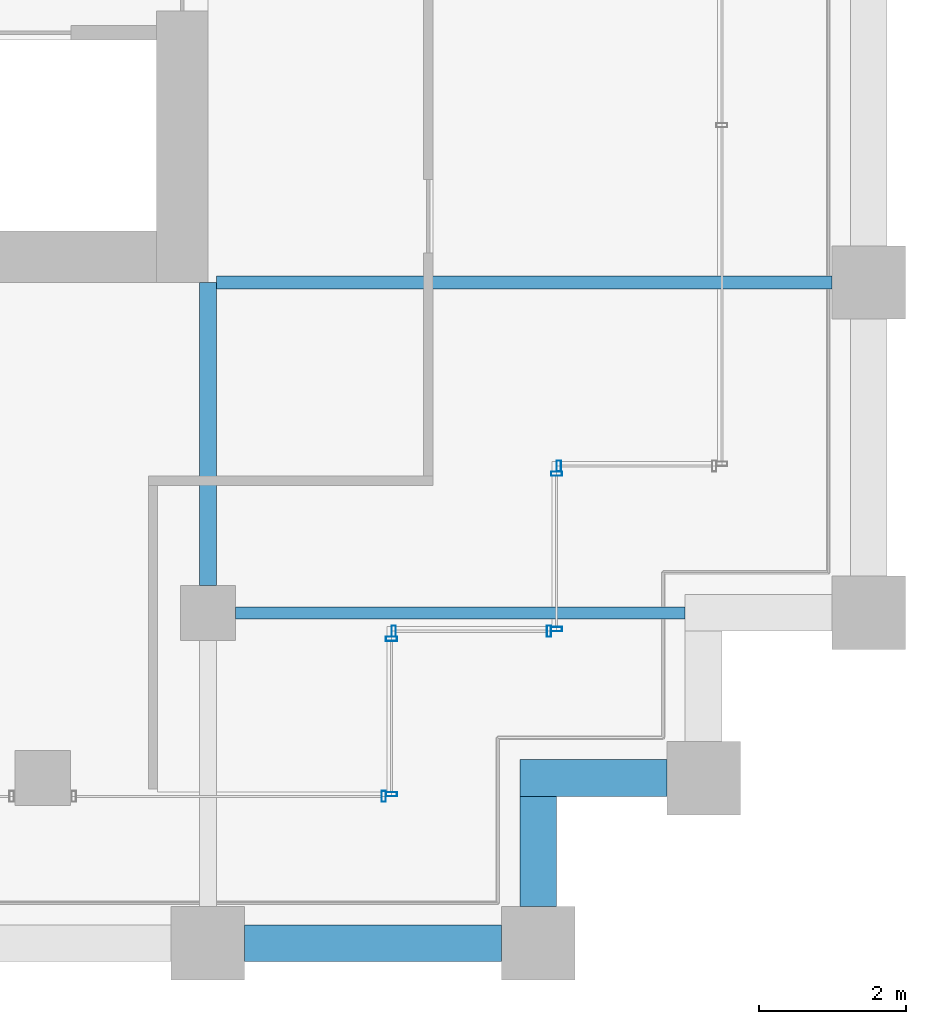
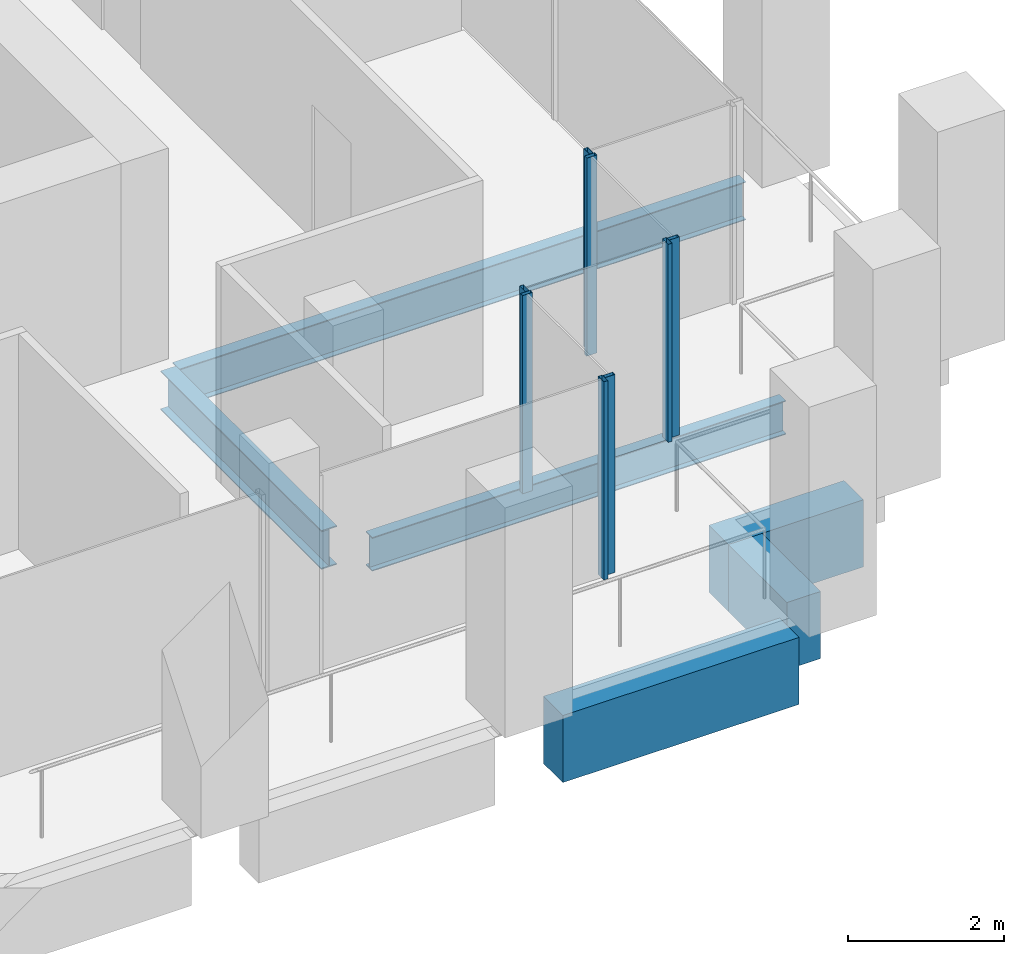
# One storey, part 32 of 46: 8 members, 6 beams, 5 elements without a shape of their own.
"""IFC4 building model written with IfcOpenShell, lengths in metres."""

from ifc_helpers import new_model, si_unit, direction, frame, origin, origin_2d, place, context, subcontext, project, spatial, rectangle, hollow_rectangle, i_section, extrude, material, material_profile, profile_set, type_object, element, aggregate, save


model = new_model("IFC4")

# Units and contexts
model_context = context("Model", 3, precision=1e-05, world=origin(), true_north=direction((0.0, 1.0)))
body_context = subcontext(model_context, "Body", "Model", "MODEL_VIEW")
ifc_project = project(units=[si_unit("LENGTHUNIT", "METRE"), si_unit("AREAUNIT", "SQUARE_METRE"), si_unit("VOLUMEUNIT", "CUBIC_METRE"), si_unit("PLANEANGLEUNIT", "RADIAN"), si_unit("MASSUNIT", "GRAM", prefix="KILO")], contexts=[model_context])

# Site, building, storey
site_placement = place(None, origin())
site = spatial("IfcSite", under=ifc_project, at=site_placement, CompositionType="ELEMENT")
building_placement = place(site_placement, origin())
building = spatial("IfcBuilding", under=site, at=building_placement, Name="Altepetl Exchange Towers", CompositionType="ELEMENT")
storey_placement = place(building_placement, frame((0.0, 0.0, 135.199951171875)))
storey = spatial("IfcBuildingStorey", under=building, at=storey_placement, Name="L33", CompositionType="ELEMENT", Elevation=135.199951171875)

# Beams
ifc_material_1 = material(Name="Steel S355", Category="steel")
ifc_material_profile_1 = material_profile(ifc_material_1, i_section(OverallWidth=0.166015625, OverallDepth=0.529052734375, WebThickness=0.009765625, FlangeThickness=0.013671875, at=origin_2d()), Name="W21X50")
ifc_profile_set_1 = profile_set([ifc_material_profile_1], Name="Steel S355")
beam_type_1 = type_object("IfcBeamType", Name="Floor beam W21X50", PredefinedType="BEAM", material=ifc_profile_set_1)
beam_1_placement = place(storey_placement, frame((117.375, 31.5, -0.41455078125), z_axis=(1.0, 0.0, 0.0), x_axis=(0.0, 1.0, 0.0)))
element("IfcBeam", 1, at=beam_1_placement, inside=storey, type_object=beam_type_1, Name="bm:B:L33:000", PredefinedType="BEAM", context=body_context, shape_type="SweptSolid", body=[
    extrude(i_section(OverallWidth=0.166015625, OverallDepth=0.529052734375, WebThickness=0.009765625, FlangeThickness=0.013671875, at=origin_2d()), origin(), (0.0, 0.0, 1.0), 6.125),
])
ifc_material_profile_2 = material_profile(ifc_material_1, i_section(OverallWidth=0.177978515625, OverallDepth=0.59912109375, WebThickness=0.010009765625, FlangeThickness=0.0126953125, at=origin_2d()), Name="W24X55")
ifc_profile_set_2 = profile_set([ifc_material_profile_2], Name="Steel S355")
beam_type_2 = type_object("IfcBeamType", Name="Floor beam W24X55", PredefinedType="BEAM", material=ifc_profile_set_2)
beam_2_placement = place(storey_placement, frame((117.114013671875, 36.0, -0.449462890625), z_axis=(1.0, 0.0, 0.0), x_axis=(0.0, 1.0, 0.0)))
element("IfcBeam", 2, at=beam_2_placement, inside=storey, type_object=beam_type_2, Name="bm:B:L33:001", PredefinedType="BEAM", context=body_context, shape_type="SweptSolid", body=[
    extrude(i_section(OverallWidth=0.177978515625, OverallDepth=0.59912109375, WebThickness=0.010009765625, FlangeThickness=0.0126953125, at=origin_2d()), origin(), (0.0, 0.0, 1.0), 8.385986328125),
])
ifc_material_profile_3 = material_profile(ifc_material_1, i_section(OverallWidth=0.22802734375, OverallDepth=0.60791015625, WebThickness=0.01123046875, FlangeThickness=0.017333984375, at=origin_2d()), Name="W24X76")
ifc_profile_set_3 = profile_set([ifc_material_profile_3], Name="Steel S355")
beam_type_3 = type_object("IfcBeamType", Name="Girder W24X76", PredefinedType="BEAM", material=ifc_profile_set_3)
beam_3_placement = place(storey_placement, frame((117.0, 36.0, -0.453857421875), z_axis=(0.0, -1.0, 0.0), x_axis=(1.0, 0.0, 0.0)))
element("IfcBeam", 3, at=beam_3_placement, inside=storey, type_object=beam_type_3, Name="gd:B:L33:000", PredefinedType="BEAM", context=body_context, shape_type="SweptSolid", body=[
    extrude(i_section(OverallWidth=0.22802734375, OverallDepth=0.60791015625, WebThickness=0.01123046875, FlangeThickness=0.017333984375, at=origin_2d()), origin(), (0.0, 0.0, 1.0), 4.125),
])

# Curtain wall, member
ifc_material_2 = material(Name="Aluminium 6063-T6 glazing", Category="aluminium")
curtain_wall_type = type_object("IfcCurtainWallType", Name="Loggia glazing system", PredefinedType="NOTDEFINED", material=ifc_material_2)
curtain_wall_1_placement = place(storey_placement, origin())
curtain_wall_1 = element("IfcCurtainWall", 4, at=curtain_wall_1_placement, inside=storey, type_object=curtain_wall_type, Name="CW1 run", PredefinedType="NOTDEFINED")
ifc_material_3 = material(Name="Aluminium 6063-T6", Category="aluminium")
ifc_material_profile_4 = material_profile(ifc_material_3, hollow_rectangle(XDim=0.06005859375, YDim=0.14990234375, WallThickness=0.0029296875, at=origin_2d()), Name="Mullion 60x150 aluminium")
ifc_profile_set_4 = profile_set([ifc_material_profile_4], Name="Aluminium 6063-T6")
member_type = type_object("IfcMemberType", Name="Mullion 60x150 aluminium", PredefinedType="MULLION", material=ifc_profile_set_4)
member_1_placement = place(storey_placement, frame((119.39501953125, 29.0, 0.0)))
member_1 = element("IfcMember", 5, at=member_1_placement, type_object=member_type, Name="MU1 mullion", PredefinedType="MULLION", context=body_context, shape_type="SweptSolid", body=[
    extrude(hollow_rectangle(XDim=0.06005859375, YDim=0.14990234375, WallThickness=0.0029296875, at=origin_2d()), origin(), (0.0, 0.0, 1.0), 3.10009765625),
])
aggregate(curtain_wall_1, [member_1])

# Curtain wall, members
curtain_wall_2_placement = place(storey_placement, origin())
curtain_wall_2 = element("IfcCurtainWall", 6, at=curtain_wall_2_placement, inside=storey, type_object=curtain_wall_type, Name="CW1 run", PredefinedType="NOTDEFINED")
member_2_placement = place(storey_placement, frame((119.5, 29.030029296875, 0.0), z_axis=(0.0, 0.0, 1.0), x_axis=(0.0, 1.0, 0.0)))
member_2 = element("IfcMember", 7, at=member_2_placement, type_object=member_type, Name="MU1 mullion", PredefinedType="MULLION", context=body_context, shape_type="SweptSolid", body=[
    extrude(hollow_rectangle(XDim=0.06005859375, YDim=0.14990234375, WallThickness=0.0029296875, at=origin_2d()), origin(), (0.0, 0.0, 1.0), 3.10009765625),
])
member_3_placement = place(storey_placement, frame((119.5, 31.14501953125, 0.0), z_axis=(0.0, 0.0, 1.0), x_axis=(0.0, 1.0, 0.0)))
member_3 = element("IfcMember", 8, at=member_3_placement, type_object=member_type, Name="MU1 mullion", PredefinedType="MULLION", context=body_context, shape_type="SweptSolid", body=[
    extrude(hollow_rectangle(XDim=0.06005859375, YDim=0.14990234375, WallThickness=0.0029296875, at=origin_2d()), origin(), (0.0, 0.0, 1.0), 3.10009765625),
])
aggregate(curtain_wall_2, [member_2, member_3])

curtain_wall_3_placement = place(storey_placement, origin())
curtain_wall_3 = element("IfcCurtainWall", 9, at=curtain_wall_3_placement, inside=storey, type_object=curtain_wall_type, Name="CW1 run", PredefinedType="NOTDEFINED")
member_4_placement = place(storey_placement, frame((119.530029296875, 31.25, 0.0)))
member_4 = element("IfcMember", 10, at=member_4_placement, type_object=member_type, Name="MU1 mullion", PredefinedType="MULLION", context=body_context, shape_type="SweptSolid", body=[
    extrude(hollow_rectangle(XDim=0.06005859375, YDim=0.14990234375, WallThickness=0.0029296875, at=origin_2d()), origin(), (0.0, 0.0, 1.0), 3.10009765625),
])
member_5_placement = place(storey_placement, frame((121.64501953125, 31.25, 0.0)))
member_5 = element("IfcMember", 11, at=member_5_placement, type_object=member_type, Name="MU1 mullion", PredefinedType="MULLION", context=body_context, shape_type="SweptSolid", body=[
    extrude(hollow_rectangle(XDim=0.06005859375, YDim=0.14990234375, WallThickness=0.0029296875, at=origin_2d()), origin(), (0.0, 0.0, 1.0), 3.10009765625),
])
aggregate(curtain_wall_3, [member_4, member_5])

curtain_wall_4_placement = place(storey_placement, origin())
curtain_wall_4 = element("IfcCurtainWall", 12, at=curtain_wall_4_placement, inside=storey, type_object=curtain_wall_type, Name="CW1 run", PredefinedType="NOTDEFINED")
member_6_placement = place(storey_placement, frame((121.75, 31.280029296875, 0.0), z_axis=(0.0, 0.0, 1.0), x_axis=(0.0, 1.0, 0.0)))
member_6 = element("IfcMember", 13, at=member_6_placement, type_object=member_type, Name="MU1 mullion", PredefinedType="MULLION", context=body_context, shape_type="SweptSolid", body=[
    extrude(hollow_rectangle(XDim=0.06005859375, YDim=0.14990234375, WallThickness=0.0029296875, at=origin_2d()), origin(), (0.0, 0.0, 1.0), 3.10009765625),
])
member_7_placement = place(storey_placement, frame((121.75, 33.39501953125, 0.0), z_axis=(0.0, 0.0, 1.0), x_axis=(0.0, 1.0, 0.0)))
member_7 = element("IfcMember", 14, at=member_7_placement, type_object=member_type, Name="MU1 mullion", PredefinedType="MULLION", context=body_context, shape_type="SweptSolid", body=[
    extrude(hollow_rectangle(XDim=0.06005859375, YDim=0.14990234375, WallThickness=0.0029296875, at=origin_2d()), origin(), (0.0, 0.0, 1.0), 3.10009765625),
])
aggregate(curtain_wall_4, [member_6, member_7])

# Curtain wall, member
curtain_wall_5_placement = place(storey_placement, origin())
curtain_wall_5 = element("IfcCurtainWall", 15, at=curtain_wall_5_placement, inside=storey, type_object=curtain_wall_type, Name="CW1 run", PredefinedType="NOTDEFINED")
member_8_placement = place(storey_placement, frame((121.780029296875, 33.5, 0.0)))
member_8 = element("IfcMember", 16, at=member_8_placement, type_object=member_type, Name="MU1 mullion", PredefinedType="MULLION", context=body_context, shape_type="SweptSolid", body=[
    extrude(hollow_rectangle(XDim=0.06005859375, YDim=0.14990234375, WallThickness=0.0029296875, at=origin_2d()), origin(), (0.0, 0.0, 1.0), 3.10009765625),
])
aggregate(curtain_wall_5, [member_8])

# Beams
ifc_material_4 = material(Name="Concrete C50/60 precast with cantera blanca facing", Category="concrete")
ifc_material_profile_5 = material_profile(ifc_material_4, rectangle(XDim=0.5, YDim=1.050048828125, at=origin_2d()), Name="500 x 1050")
ifc_profile_set_5 = profile_set([ifc_material_profile_5], Name="Concrete C50/60 precast with cantera blanca facing")
beam_type_4 = type_object("IfcBeamType", Name="Spandrel beam 500x1050 cantera blanca", PredefinedType="SPANDREL", material=ifc_profile_set_5)
beam_4_placement = place(storey_placement, frame((117.5, 27.0, -0.675048828125), z_axis=(1.0, 0.0, 0.0), x_axis=(0.0, 1.0, 0.0)))
element("IfcBeam", 17, at=beam_4_placement, inside=storey, type_object=beam_type_4, Name="sp:B:L33:004", PredefinedType="SPANDREL", context=body_context, shape_type="SweptSolid", body=[
    extrude(rectangle(XDim=0.5, YDim=1.050048828125, at=origin_2d()), origin(), (0.0, 0.0, 1.0), 3.5),
])
beam_5_placement = place(storey_placement, frame((121.5, 27.5, -0.675048828125), z_axis=(0.0, 1.0, 0.0), x_axis=(-1.0, 0.0, 0.0)))
element("IfcBeam", 18, at=beam_5_placement, inside=storey, type_object=beam_type_4, Name="sp:B:L33:005", PredefinedType="SPANDREL", context=body_context, shape_type="SweptSolid", body=[
    extrude(rectangle(XDim=0.5, YDim=1.050048828125, at=origin_2d()), origin(), (0.0, 0.0, 1.0), 1.5),
])
beam_6_placement = place(storey_placement, frame((121.25, 29.25, -0.675048828125), z_axis=(1.0, 0.0, 0.0), x_axis=(0.0, 1.0, 0.0)))
element("IfcBeam", 19, at=beam_6_placement, inside=storey, type_object=beam_type_4, Name="sp:B:L33:006", PredefinedType="SPANDREL", context=body_context, shape_type="SweptSolid", body=[
    extrude(rectangle(XDim=0.5, YDim=1.050048828125, at=origin_2d()), origin(), (0.0, 0.0, 1.0), 2.0),
])

save(model, "model.ifc")
